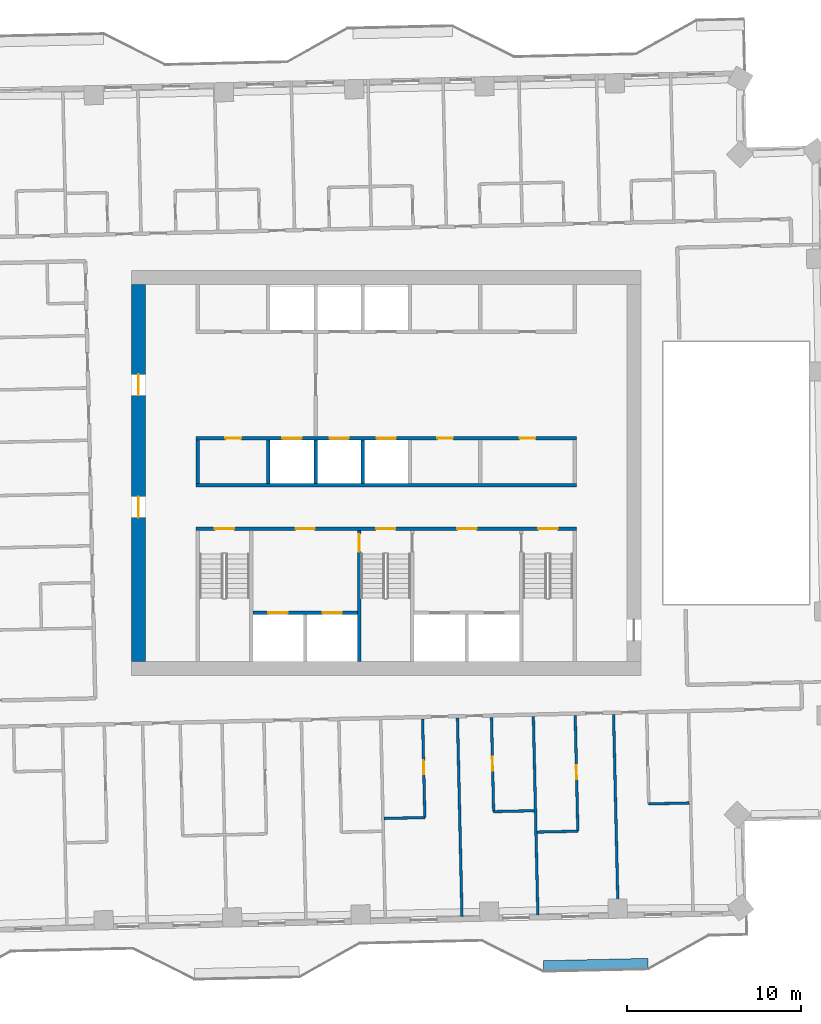
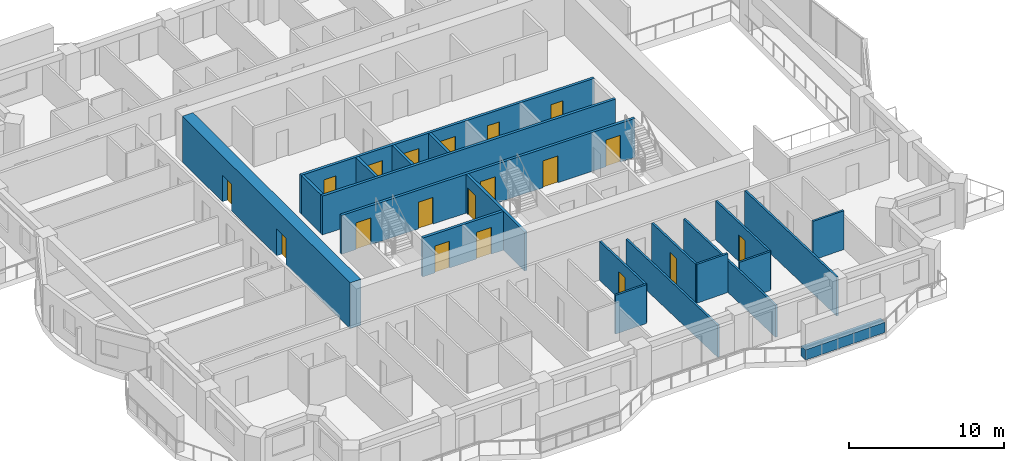
# One storey, part 8 of 17: 21 walls, 19 doors, 19 openings.
"""IFC4 building model written with IfcOpenShell, lengths in metres."""

from ifc_helpers import new_model, si_unit, direction, frame, frame_2d, origin, place, context, subcontext, project, spatial, rectangle, extrude, material, layer, layer_set, type_object, element, fill, save


model = new_model("IFC4")

# Units and contexts
model_context = context("Model", 3, precision=1e-05, world=origin(), true_north=direction((0.0, 1.0)))
body_context = subcontext(model_context, "Body", "Model", "MODEL_VIEW")
ifc_project = project(units=[si_unit("LENGTHUNIT", "METRE"), si_unit("AREAUNIT", "SQUARE_METRE"), si_unit("VOLUMEUNIT", "CUBIC_METRE"), si_unit("PLANEANGLEUNIT", "RADIAN"), si_unit("MASSUNIT", "GRAM", prefix="KILO")], contexts=[model_context])

# Site, building, storey
site_placement = place(None, origin())
site = spatial("IfcSite", under=ifc_project, at=site_placement, CompositionType="ELEMENT")
building_placement = place(site_placement, origin())
building = spatial("IfcBuilding", under=site, at=building_placement, Name="Mangrove Gate Tower", CompositionType="ELEMENT")
storey_placement = place(building_placement, frame((0.0, 0.0, 234.699951171875)))
storey = spatial("IfcBuildingStorey", under=building, at=storey_placement, Name="L59", CompositionType="ELEMENT", Elevation=234.699951171875)

# Walls
ifc_material_1 = material(Name="Concrete C32/40", Category="concrete")
ifc_layer_1 = layer(ifc_material_1, 0.199951171875)
ifc_layer_set_1 = layer_set([ifc_layer_1], Name="Core room wall 200 C32/40")
wall_type_1 = type_object("IfcWallType", Name="Core room wall 200 C32/40", PredefinedType="STANDARD", material=ifc_layer_set_1)
wall_1_placement = place(storey_placement, frame((-10.800048828125, -0.60009765625, 0.0), z_axis=(0.0, 0.0, 1.0), x_axis=(0.0, 1.0, 0.0)))
element("IfcWall", 1, at=wall_1_placement, inside=storey, type_object=wall_type_1, Name="WALL-L59-CORE-19", PredefinedType="STANDARD", context=body_context, shape_type="SweptSolid", body=[
    extrude(rectangle(XDim=2.5, YDim=0.199951171875, at=frame_2d((1.25, 0.0))), origin(), (0.0, 0.0, 1.0), 3.050048828125),
])
ifc_material_2 = material(Name="Concrete C60/75", Category="concrete")
ifc_layer_2 = layer(ifc_material_2, 0.199951171875)
ifc_layer_set_2 = layer_set([ifc_layer_2], Name="Core shaft wall 200 C60/75")
wall_type_2 = type_object("IfcWallType", Name="Core shaft wall 200 C60/75", PredefinedType="SHEAR", material=ifc_layer_set_2)
wall_2_placement = place(storey_placement, frame((-10.89990234375, -0.699951171875, 0.0), z_axis=(0.0, 0.0, 1.0), x_axis=(1.0, 0.0, 0.0)))
element("IfcWall", 2, at=wall_2_placement, inside=storey, type_object=wall_type_2, Name="WALL-L59-CORE-6", PredefinedType="SHEAR", context=body_context, shape_type="SweptSolid", body=[
    extrude(rectangle(XDim=21.7998046875, YDim=0.199951171875, at=frame_2d((10.89990234375, 0.0))), origin(), (0.0, 0.0, 1.0), 3.050048828125),
])

# Wall, openings, doors
wall_3_placement = place(storey_placement, frame((-10.89990234375, 2.0, 0.0), z_axis=(0.0, 0.0, 1.0), x_axis=(1.0, 0.0, 0.0)))
wall_3 = element("IfcWall", 3, at=wall_3_placement, inside=storey, type_object=wall_type_2, Name="WALL-L59-CORE-7", PredefinedType="SHEAR", context=body_context, shape_type="SweptSolid", body=[
    extrude(rectangle(XDim=21.7998046875, YDim=0.199951171875, at=frame_2d((10.89990234375, 0.0))), origin(), (0.0, 0.0, 1.0), 3.050048828125),
])
opening_1_placement = place(wall_3_placement, frame((4.949951171875, 0.0, 0.0)))
opening_1 = element("IfcOpeningElement", 4, at=opening_1_placement, cuts=wall_3, Name="Opening LD", PredefinedType="OPENING", context=body_context, shape_type="SweptSolid", body=[
    extrude(rectangle(XDim=1.10009765625, YDim=2.10009765625, at=frame_2d((0.550048828125, 1.050048828125))), frame((0.0, 0.10986328125, 0.0), z_axis=(0.0, -1.0, 0.0), x_axis=(1.0, 0.0, 0.0)), (0.0, 0.0, 1.0), 0.219970703125),
])
opening_2_placement = place(wall_3_placement, frame((7.64990234375, 0.0, 0.0)))
opening_2 = element("IfcOpeningElement", 5, at=opening_2_placement, cuts=wall_3, Name="Opening LD", PredefinedType="OPENING", context=body_context, shape_type="SweptSolid", body=[
    extrude(rectangle(XDim=1.10009765625, YDim=2.10009765625, at=frame_2d((0.550048828125, 1.050048828125))), frame((0.0, 0.10986328125, 0.0), z_axis=(0.0, -1.0, 0.0), x_axis=(1.0, 0.0, 0.0)), (0.0, 0.0, 1.0), 0.219970703125),
])
opening_3_placement = place(wall_3_placement, frame((10.35009765625, 0.0, 0.0)))
opening_3 = element("IfcOpeningElement", 6, at=opening_3_placement, cuts=wall_3, Name="Opening LD", PredefinedType="OPENING", context=body_context, shape_type="SweptSolid", body=[
    extrude(rectangle(XDim=1.10009765625, YDim=2.10009765625, at=frame_2d((0.550048828125, 1.050048828125))), frame((0.0, 0.10986328125, 0.0), z_axis=(0.0, -1.0, 0.0), x_axis=(1.0, 0.0, 0.0)), (0.0, 0.0, 1.0), 0.219970703125),
])
opening_4_placement = place(wall_3_placement, frame((1.675048828125, 0.0, 0.0)))
opening_4 = element("IfcOpeningElement", 7, at=opening_4_placement, cuts=wall_3, Name="Opening RD", PredefinedType="OPENING", context=body_context, shape_type="SweptSolid", body=[
    extrude(rectangle(XDim=0.89990234375, YDim=2.10009765625, at=frame_2d((0.449951171875, 1.050048828125))), frame((0.0, 0.10986328125, 0.0), z_axis=(0.0, -1.0, 0.0), x_axis=(1.0, 0.0, 0.0)), (0.0, 0.0, 1.0), 0.219970703125),
])
opening_5_placement = place(wall_3_placement, frame((13.824951171875, 0.0, 0.0)))
opening_5 = element("IfcOpeningElement", 8, at=opening_5_placement, cuts=wall_3, Name="Opening KD", PredefinedType="OPENING", context=body_context, shape_type="SweptSolid", body=[
    extrude(rectangle(XDim=0.89990234375, YDim=2.10009765625, at=frame_2d((0.449951171875, 1.050048828125))), frame((0.0, 0.10986328125, 0.0), z_axis=(0.0, -1.0, 0.0), x_axis=(1.0, 0.0, 0.0)), (0.0, 0.0, 1.0), 0.219970703125),
])
opening_6_placement = place(wall_3_placement, frame((18.550048828125, 0.0, 0.0)))
opening_6 = element("IfcOpeningElement", 9, at=opening_6_placement, cuts=wall_3, Name="Opening KD", PredefinedType="OPENING", context=body_context, shape_type="SweptSolid", body=[
    extrude(rectangle(XDim=0.89990234375, YDim=2.10009765625, at=frame_2d((0.449951171875, 1.050048828125))), frame((0.0, 0.10986328125, 0.0), z_axis=(0.0, -1.0, 0.0), x_axis=(1.0, 0.0, 0.0)), (0.0, 0.0, 1.0), 0.219970703125),
])
ifc_material_3 = material(Name="Fire-rated steel door set", Category="steel")
door_type_1 = type_object("IfcDoorType", Name="Core room door FD30S 900x2100", OperationType="SINGLE_SWING_RIGHT", PredefinedType="DOOR", material=ifc_material_3)
door_1_placement = place(opening_5_placement, origin())
door_1 = element("IfcDoor", 10, at=door_1_placement, inside=storey, type_object=door_type_1, Name="Core room door Core WC", OperationType="SINGLE_SWING_RIGHT", OverallHeight=2.10009765625, OverallWidth=0.89990234375, PredefinedType="DOOR", context=body_context, shape_type="SweptSolid", body=[
    extrude(rectangle(XDim=0.89990234375, YDim=2.10009765625, at=frame_2d((0.449951171875, 1.050048828125))), frame((0.0, 0.02490234375, 0.0), z_axis=(0.0, -1.0, 0.0), x_axis=(1.0, 0.0, 0.0)), (0.0, 0.0, 1.0), 0.050048828125),
])
fill(opening_5, door_1)
door_2_placement = place(opening_6_placement, origin())
door_2 = element("IfcDoor", 11, at=door_2_placement, inside=storey, type_object=door_type_1, Name="Core room door Pantry store", OperationType="SINGLE_SWING_RIGHT", OverallHeight=2.10009765625, OverallWidth=0.89990234375, PredefinedType="DOOR", context=body_context, shape_type="SweptSolid", body=[
    extrude(rectangle(XDim=0.89990234375, YDim=2.10009765625, at=frame_2d((0.449951171875, 1.050048828125))), frame((0.0, 0.02490234375, 0.0), z_axis=(0.0, -1.0, 0.0), x_axis=(1.0, 0.0, 0.0)), (0.0, 0.0, 1.0), 0.050048828125),
])
fill(opening_6, door_2)
ifc_material_4 = material(Name="Stainless steel 316", Category="steel")
door_type_2 = type_object("IfcDoorType", Name="Lift landing door 1100x2100", OperationType="SLIDING_TO_LEFT", PredefinedType="DOOR", material=ifc_material_4)
door_3_placement = place(opening_1_placement, origin())
door_3 = element("IfcDoor", 12, at=door_3_placement, inside=storey, type_object=door_type_2, Name="Landing door LD H01", OperationType="SLIDING_TO_LEFT", OverallHeight=2.10009765625, OverallWidth=1.10009765625, PredefinedType="DOOR", context=body_context, shape_type="SweptSolid", body=[
    extrude(rectangle(XDim=1.10009765625, YDim=2.10009765625, at=frame_2d((0.550048828125, 1.050048828125))), frame((0.0, 0.02490234375, 0.0), z_axis=(0.0, -1.0, 0.0), x_axis=(1.0, 0.0, 0.0)), (0.0, 0.0, 1.0), 0.050048828125),
])
fill(opening_1, door_3)
door_4_placement = place(opening_2_placement, origin())
door_4 = element("IfcDoor", 13, at=door_4_placement, inside=storey, type_object=door_type_2, Name="Landing door LD H02", OperationType="SLIDING_TO_LEFT", OverallHeight=2.10009765625, OverallWidth=1.10009765625, PredefinedType="DOOR", context=body_context, shape_type="SweptSolid", body=[
    extrude(rectangle(XDim=1.10009765625, YDim=2.10009765625, at=frame_2d((0.550048828125, 1.050048828125))), frame((0.0, 0.02490234375, 0.0), z_axis=(0.0, -1.0, 0.0), x_axis=(1.0, 0.0, 0.0)), (0.0, 0.0, 1.0), 0.050048828125),
])
fill(opening_2, door_4)
door_5_placement = place(opening_3_placement, origin())
door_5 = element("IfcDoor", 14, at=door_5_placement, inside=storey, type_object=door_type_2, Name="Landing door LD H03", OperationType="SLIDING_TO_LEFT", OverallHeight=2.10009765625, OverallWidth=1.10009765625, PredefinedType="DOOR", context=body_context, shape_type="SweptSolid", body=[
    extrude(rectangle(XDim=1.10009765625, YDim=2.10009765625, at=frame_2d((0.550048828125, 1.050048828125))), frame((0.0, 0.02490234375, 0.0), z_axis=(0.0, -1.0, 0.0), x_axis=(1.0, 0.0, 0.0)), (0.0, 0.0, 1.0), 0.050048828125),
])
fill(opening_3, door_5)
ifc_material_5 = material(Name="Fire-rated steel door set", Category="steel")
door_type_3 = type_object("IfcDoorType", Name="Riser door FD30S 900x2100", OperationType="SINGLE_SWING_LEFT", PredefinedType="DOOR", material=ifc_material_5)
door_6_placement = place(opening_4_placement, origin())
door_6 = element("IfcDoor", 15, at=door_6_placement, inside=storey, type_object=door_type_3, Name="Riser door Comms room", OperationType="SINGLE_SWING_LEFT", OverallHeight=2.10009765625, OverallWidth=0.89990234375, PredefinedType="DOOR", context=body_context, shape_type="SweptSolid", body=[
    extrude(rectangle(XDim=0.89990234375, YDim=2.10009765625, at=frame_2d((0.449951171875, 1.050048828125))), frame((0.0, 0.02490234375, 0.0), z_axis=(0.0, -1.0, 0.0), x_axis=(1.0, 0.0, 0.0)), (0.0, 0.0, 1.0), 0.050048828125),
])
fill(opening_4, door_6)

wall_4_placement = place(storey_placement, frame((-7.64990234375, -8.0, 0.0), z_axis=(0.0, 0.0, 1.0), x_axis=(1.0, 0.0, 0.0)))
wall_4 = element("IfcWall", 16, at=wall_4_placement, inside=storey, type_object=wall_type_2, Name="WALL-L59-CORE-15", PredefinedType="SHEAR", context=body_context, shape_type="SweptSolid", body=[
    extrude(rectangle(XDim=6.0, YDim=0.199951171875, at=frame_2d((3.0, 0.0))), origin(), (0.0, 0.0, 1.0), 3.050048828125),
])
opening_7_placement = place(wall_4_placement, frame((0.89990234375, 0.0, 0.0)))
opening_7 = element("IfcOpeningElement", 17, at=opening_7_placement, cuts=wall_4, Name="Opening LD", PredefinedType="OPENING", context=body_context, shape_type="SweptSolid", body=[
    extrude(rectangle(XDim=1.10009765625, YDim=2.10009765625, at=frame_2d((0.550048828125, 1.050048828125))), frame((0.0, 0.10986328125, 0.0), z_axis=(0.0, -1.0, 0.0), x_axis=(1.0, 0.0, 0.0)), (0.0, 0.0, 1.0), 0.219970703125),
])
opening_8_placement = place(wall_4_placement, frame((4.0, 0.0, 0.0)))
opening_8 = element("IfcOpeningElement", 18, at=opening_8_placement, cuts=wall_4, Name="Opening LD", PredefinedType="OPENING", context=body_context, shape_type="SweptSolid", body=[
    extrude(rectangle(XDim=1.10009765625, YDim=2.10009765625, at=frame_2d((0.550048828125, 1.050048828125))), frame((0.0, 0.10986328125, 0.0), z_axis=(0.0, -1.0, 0.0), x_axis=(1.0, 0.0, 0.0)), (0.0, 0.0, 1.0), 0.219970703125),
])
door_7_placement = place(opening_7_placement, origin())
door_7 = element("IfcDoor", 19, at=door_7_placement, inside=storey, type_object=door_type_2, Name="Landing door LD SVL1", OperationType="SLIDING_TO_LEFT", OverallHeight=2.10009765625, OverallWidth=1.10009765625, PredefinedType="DOOR", context=body_context, shape_type="SweptSolid", body=[
    extrude(rectangle(XDim=1.10009765625, YDim=2.10009765625, at=frame_2d((0.550048828125, 1.050048828125))), frame((0.0, 0.02490234375, 0.0), z_axis=(0.0, -1.0, 0.0), x_axis=(1.0, 0.0, 0.0)), (0.0, 0.0, 1.0), 0.050048828125),
])
fill(opening_7, door_7)
door_8_placement = place(opening_8_placement, origin())
door_8 = element("IfcDoor", 20, at=door_8_placement, inside=storey, type_object=door_type_2, Name="Landing door LD SVL2", OperationType="SLIDING_TO_LEFT", OverallHeight=2.10009765625, OverallWidth=1.10009765625, PredefinedType="DOOR", context=body_context, shape_type="SweptSolid", body=[
    extrude(rectangle(XDim=1.10009765625, YDim=2.10009765625, at=frame_2d((0.550048828125, 1.050048828125))), frame((0.0, 0.02490234375, 0.0), z_axis=(0.0, -1.0, 0.0), x_axis=(1.0, 0.0, 0.0)), (0.0, 0.0, 1.0), 0.050048828125),
])
fill(opening_8, door_8)

# Walls
for number, where, z_axis, x_axis, name in (
    (21, (-6.75, -0.60009765625, 0.0), (0.0, 0.0, 1.0), (0.0, 1.0, 0.0), "WALL-L59-CORE-20"),
    (22, (-4.050048828125, -0.60009765625, 0.0), (0.0, 0.0, 1.0), (0.0, 1.0, 0.0), "WALL-L59-CORE-21"),
    (23, (-1.35009765625, -0.60009765625, 0.0), (0.0, 0.0, 1.0), (0.0, 1.0, 0.0), "WALL-L59-CORE-22"),
):
    element("IfcWall", number, at=place(storey_placement, frame(where, z_axis=z_axis, x_axis=x_axis)), inside=storey, type_object=wall_type_2, Name=name, PredefinedType="SHEAR", context=body_context, shape_type="SweptSolid", body=[
        extrude(rectangle(XDim=2.5, YDim=0.199951171875, at=frame_2d((1.25, 0.0))), origin(), (0.0, 0.0, 1.0), 3.050048828125),
    ])

# Wall, openings, doors
ifc_material_6 = material(Name="Concrete C60/75", Category="concrete")
ifc_layer_3 = layer(ifc_material_6, 0.199951171875)
ifc_layer_set_3 = layer_set([ifc_layer_3], Name="Core stair wall 200 C60/75")
wall_type_3 = type_object("IfcWallType", Name="Core stair wall 200 C60/75", PredefinedType="SHEAR", material=ifc_layer_set_3)
wall_5_placement = place(storey_placement, frame((-10.89990234375, -3.199951171875, 0.0), z_axis=(0.0, 0.0, 1.0), x_axis=(1.0, 0.0, 0.0)))
wall_5 = element("IfcWall", 24, at=wall_5_placement, inside=storey, type_object=wall_type_3, Name="WALL-L59-CORE-5", PredefinedType="SHEAR", context=body_context, shape_type="SweptSolid", body=[
    extrude(rectangle(XDim=21.7998046875, YDim=0.199951171875, at=frame_2d((10.89990234375, 0.0))), origin(), (0.0, 0.0, 1.0), 3.050048828125),
])
opening_9_placement = place(wall_5_placement, frame((1.074951171875, 0.0, 0.0)))
opening_9 = element("IfcOpeningElement", 25, at=opening_9_placement, cuts=wall_5, Name="Opening STD11", PredefinedType="OPENING", context=body_context, shape_type="SweptSolid", body=[
    extrude(rectangle(XDim=1.10009765625, YDim=2.10009765625, at=frame_2d((0.550048828125, 1.050048828125))), frame((0.0, 0.10986328125, 0.0), z_axis=(0.0, -1.0, 0.0), x_axis=(1.0, 0.0, 0.0)), (0.0, 0.0, 1.0), 0.219970703125),
])
opening_10_placement = place(wall_5_placement, frame((10.324951171875, 0.0, 0.0)))
opening_10 = element("IfcOpeningElement", 26, at=opening_10_placement, cuts=wall_5, Name="Opening STD11", PredefinedType="OPENING", context=body_context, shape_type="SweptSolid", body=[
    extrude(rectangle(XDim=1.10009765625, YDim=2.10009765625, at=frame_2d((0.550048828125, 1.050048828125))), frame((0.0, 0.10986328125, 0.0), z_axis=(0.0, -1.0, 0.0), x_axis=(1.0, 0.0, 0.0)), (0.0, 0.0, 1.0), 0.219970703125),
])
opening_11_placement = place(wall_5_placement, frame((19.625, 0.0, 0.0)))
opening_11 = element("IfcOpeningElement", 27, at=opening_11_placement, cuts=wall_5, Name="Opening STD11", PredefinedType="OPENING", context=body_context, shape_type="SweptSolid", body=[
    extrude(rectangle(XDim=1.10009765625, YDim=2.10009765625, at=frame_2d((0.550048828125, 1.050048828125))), frame((0.0, 0.10986328125, 0.0), z_axis=(0.0, -1.0, 0.0), x_axis=(1.0, 0.0, 0.0)), (0.0, 0.0, 1.0), 0.219970703125),
])
opening_12_placement = place(wall_5_placement, frame((5.699951171875, 0.0, 0.0)))
opening_12 = element("IfcOpeningElement", 28, at=opening_12_placement, cuts=wall_5, Name="Opening FL", PredefinedType="OPENING", context=body_context, shape_type="SweptSolid", body=[
    extrude(rectangle(XDim=1.10009765625, YDim=2.10009765625, at=frame_2d((0.550048828125, 1.050048828125))), frame((0.0, 0.10986328125, 0.0), z_axis=(0.0, -1.0, 0.0), x_axis=(1.0, 0.0, 0.0)), (0.0, 0.0, 1.0), 0.219970703125),
])
opening_13_placement = place(wall_5_placement, frame((14.97509765625, 0.0, 0.0)))
opening_13 = element("IfcOpeningElement", 29, at=opening_13_placement, cuts=wall_5, Name="Opening FL", PredefinedType="OPENING", context=body_context, shape_type="SweptSolid", body=[
    extrude(rectangle(XDim=1.10009765625, YDim=2.10009765625, at=frame_2d((0.550048828125, 1.050048828125))), frame((0.0, 0.10986328125, 0.0), z_axis=(0.0, -1.0, 0.0), x_axis=(1.0, 0.0, 0.0)), (0.0, 0.0, 1.0), 0.219970703125),
])
ifc_material_7 = material(Name="Fire-rated steel door set", Category="steel")
door_type_4 = type_object("IfcDoorType", Name="Lobby door FD60 1100x2100", OperationType="SINGLE_SWING_LEFT", PredefinedType="DOOR", material=ifc_material_7)
door_9_placement = place(opening_12_placement, origin())
door_9 = element("IfcDoor", 30, at=door_9_placement, inside=storey, type_object=door_type_4, Name="Lobby door service lobby", OperationType="SINGLE_SWING_LEFT", OverallHeight=2.10009765625, OverallWidth=1.10009765625, PredefinedType="DOOR", context=body_context, shape_type="SweptSolid", body=[
    extrude(rectangle(XDim=1.10009765625, YDim=2.10009765625, at=frame_2d((0.550048828125, 1.050048828125))), frame((0.0, 0.02490234375, 0.0), z_axis=(0.0, -1.0, 0.0), x_axis=(1.0, 0.0, 0.0)), (0.0, 0.0, 1.0), 0.050048828125),
])
fill(opening_12, door_9)
door_10_placement = place(opening_13_placement, origin())
door_10 = element("IfcDoor", 31, at=door_10_placement, inside=storey, type_object=door_type_4, Name="Lobby door fire-fighting lobby", OperationType="SINGLE_SWING_LEFT", OverallHeight=2.10009765625, OverallWidth=1.10009765625, PredefinedType="DOOR", context=body_context, shape_type="SweptSolid", body=[
    extrude(rectangle(XDim=1.10009765625, YDim=2.10009765625, at=frame_2d((0.550048828125, 1.050048828125))), frame((0.0, 0.02490234375, 0.0), z_axis=(0.0, -1.0, 0.0), x_axis=(1.0, 0.0, 0.0)), (0.0, 0.0, 1.0), 0.050048828125),
])
fill(opening_13, door_10)
ifc_material_8 = material(Name="Fire-rated steel door set", Category="steel")
door_type_5 = type_object("IfcDoorType", Name="Stair door FD60 1100x2100", OperationType="SINGLE_SWING_RIGHT", PredefinedType="DOOR", material=ifc_material_8)
door_11_placement = place(opening_9_placement, origin())
door_11 = element("IfcDoor", 32, at=door_11_placement, inside=storey, type_object=door_type_5, Name="Stair door Stair 1", OperationType="SINGLE_SWING_RIGHT", OverallHeight=2.10009765625, OverallWidth=1.10009765625, PredefinedType="DOOR", context=body_context, shape_type="SweptSolid", body=[
    extrude(rectangle(XDim=1.10009765625, YDim=2.10009765625, at=frame_2d((0.550048828125, 1.050048828125))), frame((0.0, 0.02490234375, 0.0), z_axis=(0.0, -1.0, 0.0), x_axis=(1.0, 0.0, 0.0)), (0.0, 0.0, 1.0), 0.050048828125),
])
fill(opening_9, door_11)
door_12_placement = place(opening_10_placement, origin())
door_12 = element("IfcDoor", 33, at=door_12_placement, inside=storey, type_object=door_type_5, Name="Stair door Stair 2", OperationType="SINGLE_SWING_RIGHT", OverallHeight=2.10009765625, OverallWidth=1.10009765625, PredefinedType="DOOR", context=body_context, shape_type="SweptSolid", body=[
    extrude(rectangle(XDim=1.10009765625, YDim=2.10009765625, at=frame_2d((0.550048828125, 1.050048828125))), frame((0.0, 0.02490234375, 0.0), z_axis=(0.0, -1.0, 0.0), x_axis=(1.0, 0.0, 0.0)), (0.0, 0.0, 1.0), 0.050048828125),
])
fill(opening_10, door_12)
door_13_placement = place(opening_11_placement, origin())
door_13 = element("IfcDoor", 34, at=door_13_placement, inside=storey, type_object=door_type_5, Name="Stair door Stair 3", OperationType="SINGLE_SWING_RIGHT", OverallHeight=2.10009765625, OverallWidth=1.10009765625, PredefinedType="DOOR", context=body_context, shape_type="SweptSolid", body=[
    extrude(rectangle(XDim=1.10009765625, YDim=2.10009765625, at=frame_2d((0.550048828125, 1.050048828125))), frame((0.0, 0.02490234375, 0.0), z_axis=(0.0, -1.0, 0.0), x_axis=(1.0, 0.0, 0.0)), (0.0, 0.0, 1.0), 0.050048828125),
])
fill(opening_11, door_13)

# Wall, opening, door
wall_6_placement = place(storey_placement, frame((-1.550048828125, -10.800048828125, 0.0), z_axis=(0.0, 0.0, 1.0), x_axis=(0.0, 1.0, 0.0)))
wall_6 = element("IfcWall", 35, at=wall_6_placement, inside=storey, type_object=wall_type_3, Name="WALL-L59-CORE-11", PredefinedType="SHEAR", context=body_context, shape_type="SweptSolid", body=[
    extrude(rectangle(XDim=7.5, YDim=0.199951171875, at=frame_2d((3.75, 0.0))), origin(), (0.0, 0.0, 1.0), 3.050048828125),
])
opening_14_placement = place(wall_6_placement, frame((6.300048828125, 0.0, 0.0)))
opening_14 = element("IfcOpeningElement", 36, at=opening_14_placement, cuts=wall_6, Name="Opening STD10", PredefinedType="OPENING", context=body_context, shape_type="SweptSolid", body=[
    extrude(rectangle(XDim=1.0, YDim=2.10009765625, at=frame_2d((0.5, 1.050048828125))), frame((0.0, 0.10986328125, 0.0), z_axis=(0.0, -1.0, 0.0), x_axis=(1.0, 0.0, 0.0)), (0.0, 0.0, 1.0), 0.219970703125),
])
ifc_material_9 = material(Name="Fire-rated steel door set", Category="steel")
door_type_6 = type_object("IfcDoorType", Name="Stair door FD60 1000x2100", OperationType="SINGLE_SWING_RIGHT", PredefinedType="DOOR", material=ifc_material_9)
door_14_placement = place(opening_14_placement, origin())
door_14 = element("IfcDoor", 37, at=door_14_placement, inside=storey, type_object=door_type_6, Name="Stair door Stair 2 from service lobby", OperationType="SINGLE_SWING_RIGHT", OverallHeight=2.10009765625, OverallWidth=1.0, PredefinedType="DOOR", context=body_context, shape_type="SweptSolid", body=[
    extrude(rectangle(XDim=1.0, YDim=2.10009765625, at=frame_2d((0.5, 1.050048828125))), frame((0.0, 0.02490234375, 0.0), z_axis=(0.0, -1.0, 0.0), x_axis=(1.0, 0.0, 0.0)), (0.0, 0.0, 1.0), 0.050048828125),
])
fill(opening_14, door_14)

# Wall, openings, doors
ifc_material_10 = material(Name="Concrete C60/75", Category="concrete")
ifc_layer_4 = layer(ifc_material_10, 0.800048828125)
ifc_layer_set_4 = layer_set([ifc_layer_4], Name="Core wall 800 C60/75")
wall_type_4 = type_object("IfcWallType", Name="Core wall 800 C60/75", PredefinedType="SHEAR", material=ifc_layer_set_4)
wall_7_placement = place(storey_placement, frame((-14.199951171875, -10.800048828125, 0.0), z_axis=(0.0, 0.0, 1.0), x_axis=(0.0, 1.0, 0.0)))
wall_7 = element("IfcWall", 38, at=wall_7_placement, inside=storey, type_object=wall_type_4, Name="WALL-L59-CORE-3", PredefinedType="SHEAR", context=body_context, shape_type="SweptSolid", body=[
    extrude(rectangle(XDim=21.60009765625, YDim=0.800048828125, at=frame_2d((10.800048828125, 0.0))), origin(), (0.0, 0.0, 1.0), 3.60009765625),
])
opening_15_placement = place(wall_7_placement, frame((8.25, 0.0, 0.0)))
opening_15 = element("IfcOpeningElement", 39, at=opening_15_placement, cuts=wall_7, Name="Opening CD", PredefinedType="OPENING", context=body_context, shape_type="SweptSolid", body=[
    extrude(rectangle(XDim=1.199951171875, YDim=2.10009765625, at=frame_2d((0.60009765625, 1.050048828125))), frame((0.0, 0.409912109375, 0.0), z_axis=(0.0, -1.0, 0.0), x_axis=(1.0, 0.0, 0.0)), (0.0, 0.0, 1.0), 0.820068359375),
])
opening_16_placement = place(wall_7_placement, frame((15.25, 0.0, 0.0)))
opening_16 = element("IfcOpeningElement", 40, at=opening_16_placement, cuts=wall_7, Name="Opening CD", PredefinedType="OPENING", context=body_context, shape_type="SweptSolid", body=[
    extrude(rectangle(XDim=1.199951171875, YDim=2.10009765625, at=frame_2d((0.60009765625, 1.050048828125))), frame((0.0, 0.409912109375, 0.0), z_axis=(0.0, -1.0, 0.0), x_axis=(1.0, 0.0, 0.0)), (0.0, 0.0, 1.0), 0.820068359375),
])
ifc_material_11 = material(Name="Fire-rated steel door set", Category="steel")
door_type_7 = type_object("IfcDoorType", Name="Core ring door FD60 1200x2100", OperationType="DOUBLE_DOOR_SINGLE_SWING", PredefinedType="DOOR", material=ifc_material_11)
door_15_placement = place(opening_15_placement, origin())
door_15 = element("IfcDoor", 41, at=door_15_placement, inside=storey, type_object=door_type_7, Name="Core ring door W1", OperationType="DOUBLE_DOOR_SINGLE_SWING", OverallHeight=2.10009765625, OverallWidth=1.199951171875, PredefinedType="DOOR", context=body_context, shape_type="SweptSolid", body=[
    extrude(rectangle(XDim=1.199951171875, YDim=2.10009765625, at=frame_2d((0.60009765625, 1.050048828125))), frame((0.0, 0.02490234375, 0.0), z_axis=(0.0, -1.0, 0.0), x_axis=(1.0, 0.0, 0.0)), (0.0, 0.0, 1.0), 0.050048828125),
])
fill(opening_15, door_15)
door_16_placement = place(opening_16_placement, origin())
door_16 = element("IfcDoor", 42, at=door_16_placement, inside=storey, type_object=door_type_7, Name="Core ring door W2", OperationType="DOUBLE_DOOR_SINGLE_SWING", OverallHeight=2.10009765625, OverallWidth=1.199951171875, PredefinedType="DOOR", context=body_context, shape_type="SweptSolid", body=[
    extrude(rectangle(XDim=1.199951171875, YDim=2.10009765625, at=frame_2d((0.60009765625, 1.050048828125))), frame((0.0, 0.02490234375, 0.0), z_axis=(0.0, -1.0, 0.0), x_axis=(1.0, 0.0, 0.0)), (0.0, 0.0, 1.0), 0.050048828125),
])
fill(opening_16, door_16)

# Walls
ifc_material_12 = material(Name="Gypsum board on steel stud, EI 60", Category="steel")
ifc_layer_5 = layer(ifc_material_12, 0.14990234375)
ifc_layer_set_5 = layer_set([ifc_layer_5], Name="Party wall 150 EI 60")
wall_type_5 = type_object("IfcWallType", Name="Party wall 150 EI 60", PredefinedType="PARTITIONING", material=ifc_layer_set_5)
wall_8_placement = place(storey_placement, frame((4.341064453125, -25.4208984375, 0.0), z_axis=(0.0, 0.0, 1.0), x_axis=(-0.022684842063, 0.99974266586, 0.0)))
element("IfcWall", 43, at=wall_8_placement, inside=storey, type_object=wall_type_5, Name="WALL-L59-006", PredefinedType="PARTITIONING", context=body_context, shape_type="SweptSolid", body=[
    extrude(rectangle(XDim=11.375732421875, YDim=0.14990234375, at=frame_2d((5.68798828125, 0.0))), origin(), (0.0, 0.0, 1.0), 2.5),
])
wall_9_placement = place(storey_placement, frame((8.68994140625, -25.322998046875, 0.0), z_axis=(0.0, 0.0, 1.0), x_axis=(-0.022684355347, 0.999742676904, 0.0)))
element("IfcWall", 44, at=wall_9_placement, inside=storey, type_object=wall_type_5, Name="WALL-L59-007", PredefinedType="PARTITIONING", context=body_context, shape_type="SweptSolid", body=[
    extrude(rectangle(XDim=11.3759765625, YDim=0.14990234375, at=frame_2d((5.68798828125, 0.0))), origin(), (0.0, 0.0, 1.0), 2.5),
])
wall_10_placement = place(storey_placement, frame((13.2890625, -25.218017578125, 0.0), z_axis=(0.0, 0.0, 1.0), x_axis=(-0.022770155219, 0.999740726404, 0.0)))
element("IfcWall", 45, at=wall_10_placement, inside=storey, type_object=wall_type_5, Name="WALL-L59-008", PredefinedType="PARTITIONING", context=body_context, shape_type="SweptSolid", body=[
    extrude(rectangle(XDim=11.3759765625, YDim=0.14990234375, at=frame_2d((5.68798828125, 0.0))), origin(), (0.0, 0.0, 1.0), 3.050048828125),
])

# Wall, opening, door
wall_11_placement = place(storey_placement, frame((10.98193359375, -20.532958984375, 0.0), z_axis=(0.0, 0.0, 1.0), x_axis=(-0.02272391111, 0.999741778593, 0.0)))
wall_11 = element("IfcWall", 46, at=wall_11_placement, inside=storey, type_object=wall_type_5, Name="WALL-L59-011", PredefinedType="PARTITIONING", context=body_context, shape_type="SweptSolid", body=[
    extrude(rectangle(XDim=6.6396484375, YDim=0.14990234375, at=frame_2d((3.31982421875, 0.0))), origin(), (0.0, 0.0, 1.0), 3.050048828125),
])
opening_17_placement = place(wall_11_placement, frame((2.969970703125, 0.0, 0.0)))
opening_17 = element("IfcOpeningElement", 47, at=opening_17_placement, cuts=wall_11, Name="Opening ED", PredefinedType="OPENING", context=body_context, shape_type="SweptSolid", body=[
    extrude(rectangle(XDim=0.800048828125, YDim=2.10009765625, at=frame_2d((0.39990234375, 1.050048828125))), frame((0.0, 0.0849609375, 0.0), z_axis=(0.0, -1.0, 0.0), x_axis=(1.0, 0.0, 0.0)), (0.0, 0.0, 1.0), 0.169921875),
])
ifc_material_13 = material(Name="Timber door leaf", Category="wood")
door_type_8 = type_object("IfcDoorType", Name="En-suite door 800", OperationType="SINGLE_SWING_LEFT", PredefinedType="DOOR", material=ifc_material_13)
door_17_placement = place(opening_17_placement, origin())
door_17 = element("IfcDoor", 48, at=door_17_placement, inside=storey, type_object=door_type_8, Name="DOOR-L59-ENS-c207", OperationType="SINGLE_SWING_LEFT", OverallHeight=2.10009765625, OverallWidth=0.800048828125, PredefinedType="DOOR", context=body_context, shape_type="SweptSolid", body=[
    extrude(rectangle(XDim=0.800048828125, YDim=2.10009765625, at=frame_2d((0.39990234375, 1.050048828125))), frame((0.0, 0.02490234375, 0.0), z_axis=(0.0, -1.0, 0.0), x_axis=(1.0, 0.0, 0.0)), (0.0, 0.0, 1.0), 0.050048828125),
])
fill(opening_17, door_17)

# Wall
wall_12_placement = place(storey_placement, frame((8.653076171875, -20.58203125, 0.0), z_axis=(0.0, 0.0, 1.0), x_axis=(0.999749954681, 0.022361308448, 0.0)))
element("IfcWall", 49, at=wall_12_placement, inside=storey, type_object=wall_type_5, Name="WALL-L59-013", PredefinedType="PARTITIONING", context=body_context, shape_type="SweptSolid", body=[
    extrude(rectangle(XDim=2.325439453125, YDim=0.14990234375, at=frame_2d((1.16259765625, 0.0))), origin(), (0.0, 0.0, 1.0), 3.050048828125),
])

# Wall, opening, door
wall_13_placement = place(storey_placement, frame((2.2119140625, -19.751953125, 0.0), z_axis=(0.0, 0.0, 1.0), x_axis=(-0.022777260759, 0.999740564543, 0.0)))
wall_13 = element("IfcWall", 50, at=wall_13_placement, inside=storey, type_object=wall_type_5, Name="WALL-L59-019", PredefinedType="PARTITIONING", context=body_context, shape_type="SweptSolid", body=[
    extrude(rectangle(XDim=5.659423828125, YDim=0.14990234375, at=frame_2d((2.82958984375, 0.0))), origin(), (0.0, 0.0, 1.0), 3.050048828125),
])
opening_18_placement = place(wall_13_placement, frame((2.47998046875, 0.0, 0.0)))
opening_18 = element("IfcOpeningElement", 51, at=opening_18_placement, cuts=wall_13, Name="Opening ED", PredefinedType="OPENING", context=body_context, shape_type="SweptSolid", body=[
    extrude(rectangle(XDim=0.800048828125, YDim=2.10009765625, at=frame_2d((0.39990234375, 1.050048828125))), frame((0.0, 0.0849609375, 0.0), z_axis=(0.0, -1.0, 0.0), x_axis=(1.0, 0.0, 0.0)), (0.0, 0.0, 1.0), 0.169921875),
])
door_18_placement = place(opening_18_placement, origin())
door_18 = element("IfcDoor", 52, at=door_18_placement, inside=storey, type_object=door_type_8, Name="DOOR-L59-ENS-c205", OperationType="SINGLE_SWING_LEFT", OverallHeight=2.10009765625, OverallWidth=0.800048828125, PredefinedType="DOOR", context=body_context, shape_type="SweptSolid", body=[
    extrude(rectangle(XDim=0.800048828125, YDim=2.10009765625, at=frame_2d((0.39990234375, 1.050048828125))), frame((0.0, 0.02490234375, 0.0), z_axis=(0.0, -1.0, 0.0), x_axis=(1.0, 0.0, 0.0)), (0.0, 0.0, 1.0), 0.050048828125),
])
fill(opening_18, door_18)

# Wall
wall_14_placement = place(storey_placement, frame((-0.116943359375, -19.801025390625, 0.0), z_axis=(0.0, 0.0, 1.0), x_axis=(0.999740478815, 0.022781023197, 0.0)))
element("IfcWall", 53, at=wall_14_placement, inside=storey, type_object=wall_type_5, Name="WALL-L59-020", PredefinedType="PARTITIONING", context=body_context, shape_type="SweptSolid", body=[
    extrude(rectangle(XDim=2.325439453125, YDim=0.14990234375, at=frame_2d((1.16259765625, 0.0))), origin(), (0.0, 0.0, 1.0), 3.050048828125),
])

# Wall, opening, door
wall_15_placement = place(storey_placement, frame((6.155029296875, -19.4130859375, 0.0), z_axis=(0.0, 0.0, 1.0), x_axis=(-0.022741905136, 0.999741369431, 0.0)))
wall_15 = element("IfcWall", 54, at=wall_15_placement, inside=storey, type_object=wall_type_5, Name="WALL-L59-021", PredefinedType="PARTITIONING", context=body_context, shape_type="SweptSolid", body=[
    extrude(rectangle(XDim=5.41064453125, YDim=0.14990234375, at=frame_2d((2.705322265625, 0.0))), origin(), (0.0, 0.0, 1.0), 3.050048828125),
])
opening_19_placement = place(wall_15_placement, frame((2.35498046875, 0.0, 0.0)))
opening_19 = element("IfcOpeningElement", 55, at=opening_19_placement, cuts=wall_15, Name="Opening ED", PredefinedType="OPENING", context=body_context, shape_type="SweptSolid", body=[
    extrude(rectangle(XDim=0.800048828125, YDim=2.10009765625, at=frame_2d((0.39990234375, 1.050048828125))), frame((0.0, 0.0849609375, 0.0), z_axis=(0.0, -1.0, 0.0), x_axis=(1.0, 0.0, 0.0)), (0.0, 0.0, 1.0), 0.169921875),
])
door_19_placement = place(opening_19_placement, origin())
door_19 = element("IfcDoor", 56, at=door_19_placement, inside=storey, type_object=door_type_8, Name="DOOR-L59-ENS-c206", OperationType="SINGLE_SWING_RIGHT", OverallHeight=2.10009765625, OverallWidth=0.800048828125, PredefinedType="DOOR", context=body_context, shape_type="SweptSolid", body=[
    extrude(rectangle(XDim=0.800048828125, YDim=2.10009765625, at=frame_2d((0.39990234375, 1.050048828125))), frame((0.0, 0.02490234375, 0.0), z_axis=(0.0, -1.0, 0.0), x_axis=(1.0, 0.0, 0.0)), (0.0, 0.0, 1.0), 0.050048828125),
])
fill(opening_19, door_19)

# Walls
wall_16_placement = place(storey_placement, frame((6.15087890625, -19.408935546875, 0.0), z_axis=(0.0, 0.0, 1.0), x_axis=(0.99974031529, 0.022788198363, 0.0)))
element("IfcWall", 57, at=wall_16_placement, inside=storey, type_object=wall_type_5, Name="WALL-L59-022", PredefinedType="PARTITIONING", context=body_context, shape_type="SweptSolid", body=[
    extrude(rectangle(XDim=2.32470703125, YDim=0.14990234375, at=frame_2d((1.162353515625, 0.0))), origin(), (0.0, 0.0, 1.0), 3.050048828125),
])
wall_17_placement = place(storey_placement, frame((15.04296875, -18.967041015625, 0.0), z_axis=(0.0, 0.0, 1.0), x_axis=(0.999740478815, 0.022781023197, 0.0)))
element("IfcWall", 58, at=wall_17_placement, inside=storey, type_object=wall_type_5, Name="WALL-L59-024", PredefinedType="PARTITIONING", context=body_context, shape_type="SweptSolid", body=[
    extrude(rectangle(XDim=2.325439453125, YDim=0.14990234375, at=frame_2d((1.16259765625, 0.0))), origin(), (0.0, 0.0, 1.0), 3.050048828125),
])
ifc_material_14 = material(Name="Concrete C32/40", Category="concrete")
ifc_layer_6 = layer(ifc_material_14, 0.199951171875, Name="Planter trough wall")
ifc_material_15 = material(Name="Bituminous waterproofing membrane")
ifc_layer_7 = layer(ifc_material_15, 0.0048828125, Name="Waterproofing")
ifc_material_16 = material(Name="Drainage board and gravel")
ifc_layer_8 = layer(ifc_material_16, 0.044921875, Name="Drainage layer")
ifc_material_17 = material(Name="Planting soil")
ifc_layer_9 = layer(ifc_material_17, 0.300048828125, Name="Growing medium")
ifc_layer_set_6 = layer_set([ifc_layer_6, ifc_layer_7, ifc_layer_8, ifc_layer_9], Name="Planter wall 550 C32/40")
wall_type_6 = type_object("IfcWallType", Name="Planter wall 550 C32/40", PredefinedType="USERDEFINED", material=ifc_layer_set_6)
wall_18_placement = place(storey_placement, frame((9.006103515625, -28.23095703125, 0.0), z_axis=(0.0, 0.0, 1.0), x_axis=(0.999743157205, 0.022663177671, 0.0)))
element("IfcWall", 59, at=wall_18_placement, inside=storey, type_object=wall_type_6, Name="PLANTER L59 S1.1", ObjectType="PLANTER", PredefinedType="USERDEFINED", context=body_context, shape_type="SweptSolid", body=[
    extrude(rectangle(XDim=6.000244140625, YDim=0.550048828125, at=frame_2d((3.0, 0.0))), origin(), (0.0, 0.0, 1.0), 0.800048828125),
])

save(model, "model.ifc")
